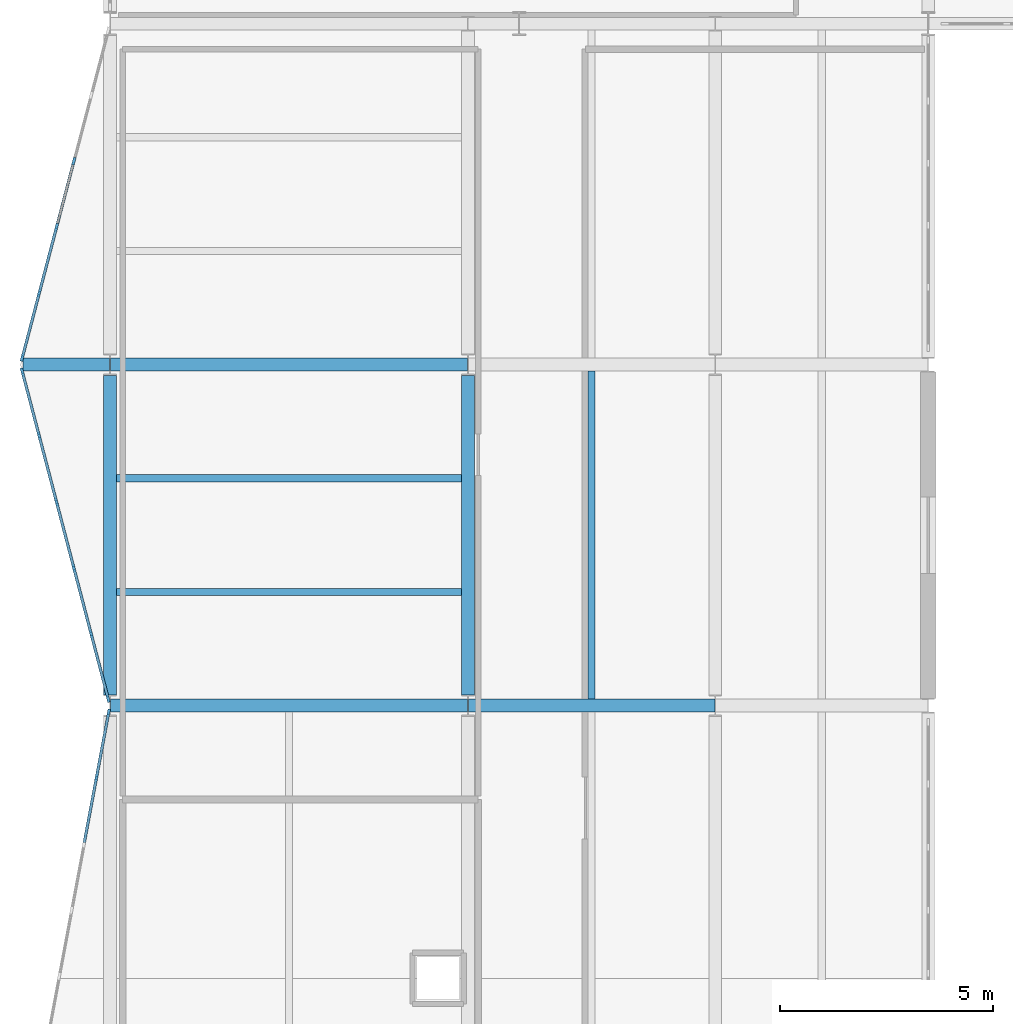
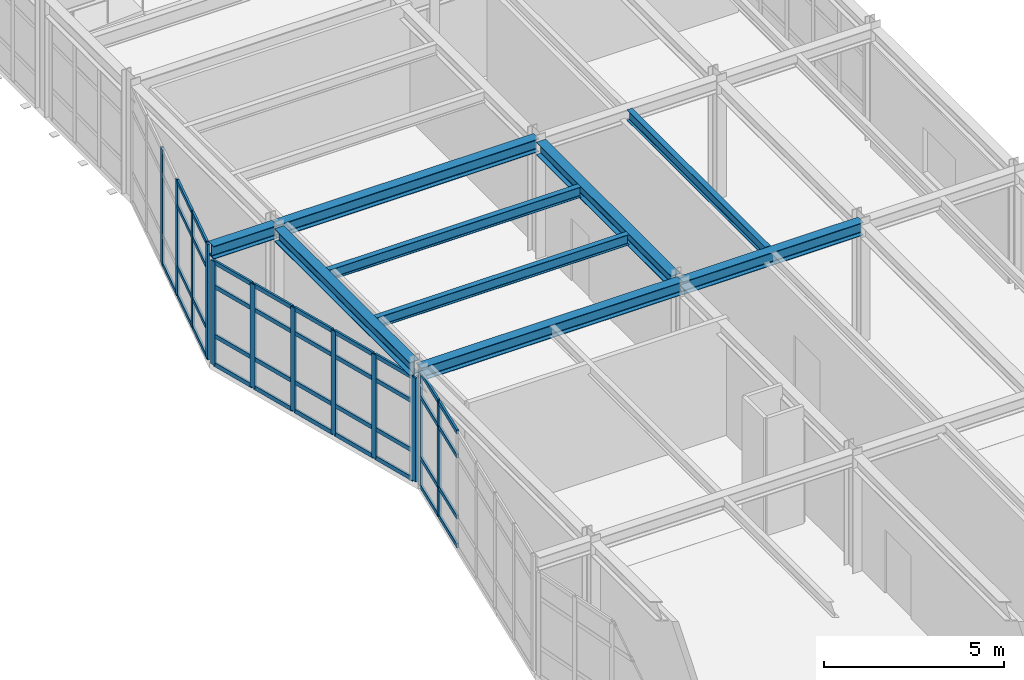
# One storey, part 24 of 76: 49 members, 9 beams, 3 elements without a shape of their own.
"""IFC4 building model written with IfcOpenShell, lengths in metres."""

from ifc_helpers import new_model, si_unit, direction, frame, origin, origin_2d, place, context, subcontext, project, spatial, rectangle, i_section, extrude, material, layer, layer_set, material_profile, profile_set, type_object, element, aggregate, save


model = new_model("IFC4")

# Units and contexts
model_context = context("Model", 3, precision=1e-05, world=origin(), true_north=direction((0.0, 1.0)))
body_context = subcontext(model_context, "Body", "Model", "MODEL_VIEW")
ifc_project = project(units=[si_unit("LENGTHUNIT", "METRE"), si_unit("AREAUNIT", "SQUARE_METRE"), si_unit("VOLUMEUNIT", "CUBIC_METRE"), si_unit("PLANEANGLEUNIT", "RADIAN"), si_unit("MASSUNIT", "GRAM", prefix="KILO")], contexts=[model_context])

# Site, building, storey
site_placement = place(None, origin())
site = spatial("IfcSite", under=ifc_project, at=site_placement, CompositionType="ELEMENT")
building_placement = place(site_placement, origin())
building = spatial("IfcBuilding", under=site, at=building_placement, Name="Nordkorset Police Headquarters", CompositionType="ELEMENT")
storey_placement = place(building_placement, frame((0.0, 0.0, 13.64990234375)))
storey = spatial("IfcBuildingStorey", under=building, at=storey_placement, Name="L03", CompositionType="ELEMENT", Elevation=13.64990234375)

# Beams
ifc_material_1 = material(Name="Steel S355J2", Category="steel")
ifc_material_profile_1 = material_profile(ifc_material_1, i_section(OverallWidth=0.169921875, OverallDepth=0.360107421875, WebThickness=0.008056640625, FlangeThickness=0.0126953125, FilletRadius=0.01806640625, at=origin_2d()), Name="IPE 360")
ifc_profile_set_1 = profile_set([ifc_material_profile_1], Name="Steel S355J2")
beam_type_1 = type_object("IfcBeamType", Name="Beam_IPE_360", PredefinedType="BEAM", material=ifc_profile_set_1)
for number, where, z_axis, x_axis, name in (
    (1, (0.14990234375, 69.86669921875, 3.800048828125), (1.0, 0.0, 0.0), (0.0, 1.0, 0.0), "Composite Floor Beam V3 L03 0-4-1"),
    (2, (0.14990234375, 72.533447265625, 3.800048828125), (1.0, 0.0, 0.0), (0.0, 1.0, 0.0), "Composite Floor Beam V3 L03 0-4-2"),
):
    element("IfcBeam", number, at=place(storey_placement, frame(where, z_axis=z_axis, x_axis=x_axis)), inside=storey, type_object=beam_type_1, Name=name, PredefinedType="BEAM", context=body_context, shape_type="SweptSolid", body=[
        extrude(i_section(OverallWidth=0.169921875, OverallDepth=0.360107421875, WebThickness=0.008056640625, FlangeThickness=0.0126953125, FilletRadius=0.01806640625, at=origin_2d()), origin(), (0.0, 0.0, 1.0), 8.10009765625),
    ])
beam_1_placement = place(storey_placement, frame((11.300048828125, 67.35009765625, 3.800048828125), z_axis=(0.0, 1.0, 0.0), x_axis=(-1.0, 0.0, 0.0)))
element("IfcBeam", 3, at=beam_1_placement, inside=storey, type_object=beam_type_1, Name="Composite Floor Beam V3 L03 1-4-1", PredefinedType="BEAM", context=body_context, shape_type="SweptSolid", body=[
    extrude(i_section(OverallWidth=0.169921875, OverallDepth=0.360107421875, WebThickness=0.008056640625, FlangeThickness=0.0126953125, FilletRadius=0.01806640625, at=origin_2d()), origin(), (0.0, 0.0, 1.0), 7.699951171875),
])

# Curtain wall, members
ifc_material_2 = material(Name="Aluminium alloy AW-6060", Category="aluminium")
ifc_layer_1 = layer(ifc_material_2, 0.179931640625, Name="Aluminium alloy AW-6060")
ifc_layer_set_1 = layer_set([ifc_layer_1], Name="Aluminium alloy AW-6060")
curtain_wall_type_1 = type_object("IfcCurtainWallType", Name="CW_Unit_949x392", PredefinedType="USERDEFINED", material=ifc_layer_set_1)
curtain_wall_1_placement = place(storey_placement, origin())
curtain_wall_1 = element("IfcCurtainWall", 4, at=curtain_wall_1_placement, inside=storey, type_object=curtain_wall_type_1, Name="Unitised Curtain Wall L03 V3W-3", ObjectType="UNITISED CURTAIN WALL", PredefinedType="USERDEFINED")
ifc_material_3 = material(Name="Aluminium alloy AW-6060", Category="aluminium")
ifc_material_profile_2 = material_profile(ifc_material_3, rectangle(XDim=0.06494140625, YDim=0.179931640625, at=origin_2d()), Name="ALU MULL 65x180")
ifc_profile_set_2 = profile_set([ifc_material_profile_2], Name="Aluminium alloy AW-6060")
member_type_1 = type_object("IfcMemberType", Name="CW_Mullion_65x180", PredefinedType="MULLION", material=ifc_profile_set_2)
member_1_placement = place(storey_placement, frame((-0.317138671875, 65.50830078125, 0.0), z_axis=(0.0, 0.0, 1.0), x_axis=(-0.982872186935, 0.184288535048, 0.0)))
member_1 = element("IfcMember", 5, at=member_1_placement, type_object=member_type_1, Name="CW-49 mullion 6", PredefinedType="MULLION", context=body_context, shape_type="SweptSolid", body=[
    extrude(rectangle(XDim=0.06494140625, YDim=0.179931640625, at=origin_2d()), origin(), (0.0, 0.0, 1.0), 3.920166015625),
])
member_2_placement = place(storey_placement, frame((-0.03173828125, 67.030517578125, 0.0), z_axis=(0.0, 0.0, 1.0), x_axis=(-0.982872186935, 0.184288535048, 0.0)))
member_2 = element("IfcMember", 6, at=member_2_placement, type_object=member_type_1, Name="CW-49 mullion 7", PredefinedType="MULLION", context=body_context, shape_type="SweptSolid", body=[
    extrude(rectangle(XDim=0.06494140625, YDim=0.179931640625, at=origin_2d()), origin(), (0.0, 0.0, 1.0), 3.920166015625),
])

ifc_material_4 = material(Name="Aluminium alloy AW-6060", Category="aluminium")
ifc_layer_2 = layer(ifc_material_4, 0.179931640625, Name="Aluminium alloy AW-6060")
ifc_layer_set_2 = layer_set([ifc_layer_2], Name="Aluminium alloy AW-6060")
curtain_wall_type_2 = type_object("IfcCurtainWallType", Name="CW_Unit_799x352", PredefinedType="USERDEFINED", material=ifc_layer_set_2)
curtain_wall_2_placement = place(storey_placement, origin())
curtain_wall_2 = element("IfcCurtainWall", 7, at=curtain_wall_2_placement, inside=storey, type_object=curtain_wall_type_2, Name="Unitised Curtain Wall L03 V3W-4", ObjectType="UNITISED CURTAIN WALL", PredefinedType="USERDEFINED")
member_3_placement = place(storey_placement, frame((-0.043701171875, 67.366943359375, 0.0), z_axis=(0.0, 0.0, 1.0), x_axis=(-0.967231265013, -0.25389698695, 0.0)))
member_3 = element("IfcMember", 8, at=member_3_placement, type_object=member_type_1, Name="CW-28 mullion 1", PredefinedType="MULLION", context=body_context, shape_type="SweptSolid", body=[
    extrude(rectangle(XDim=0.06494140625, YDim=0.179931640625, at=origin_2d()), origin(), (0.0, 0.0, 1.0), 3.52001953125),
])
member_4_placement = place(storey_placement, frame((-0.44140625, 68.88134765625, 0.0), z_axis=(0.0, 0.0, 1.0), x_axis=(-0.967231265013, -0.25389698695, 0.0)))
member_4 = element("IfcMember", 9, at=member_4_placement, type_object=member_type_1, Name="CW-28 mullion 2", PredefinedType="MULLION", context=body_context, shape_type="SweptSolid", body=[
    extrude(rectangle(XDim=0.06494140625, YDim=0.179931640625, at=origin_2d()), origin(), (0.0, 0.0, 1.0), 3.52001953125),
])
member_5_placement = place(storey_placement, frame((-0.84716796875, 70.427001953125, 0.0), z_axis=(0.0, 0.0, 1.0), x_axis=(-0.967231265013, -0.25389698695, 0.0)))
member_5 = element("IfcMember", 10, at=member_5_placement, type_object=member_type_1, Name="CW-28 mullion 3", PredefinedType="MULLION", context=body_context, shape_type="SweptSolid", body=[
    extrude(rectangle(XDim=0.06494140625, YDim=0.179931640625, at=origin_2d()), origin(), (0.0, 0.0, 1.0), 3.52001953125),
])
member_6_placement = place(storey_placement, frame((-1.2529296875, 71.972900390625, 0.0), z_axis=(0.0, 0.0, 1.0), x_axis=(-0.967231265013, -0.25389698695, 0.0)))
member_6 = element("IfcMember", 11, at=member_6_placement, type_object=member_type_1, Name="CW-28 mullion 4", PredefinedType="MULLION", context=body_context, shape_type="SweptSolid", body=[
    extrude(rectangle(XDim=0.06494140625, YDim=0.179931640625, at=origin_2d()), origin(), (0.0, 0.0, 1.0), 3.52001953125),
])
member_7_placement = place(storey_placement, frame((-1.65869140625, 73.518798828125, 0.0), z_axis=(0.0, 0.0, 1.0), x_axis=(-0.967231265013, -0.25389698695, 0.0)))
member_7 = element("IfcMember", 12, at=member_7_placement, type_object=member_type_1, Name="CW-28 mullion 5", PredefinedType="MULLION", context=body_context, shape_type="SweptSolid", body=[
    extrude(rectangle(XDim=0.06494140625, YDim=0.179931640625, at=origin_2d()), origin(), (0.0, 0.0, 1.0), 3.52001953125),
])
member_8_placement = place(storey_placement, frame((-2.05615234375, 75.033203125, 0.0), z_axis=(0.0, 0.0, 1.0), x_axis=(-0.967231265013, -0.25389698695, 0.0)))
member_8 = element("IfcMember", 13, at=member_8_placement, type_object=member_type_1, Name="CW-28 mullion 6", PredefinedType="MULLION", context=body_context, shape_type="SweptSolid", body=[
    extrude(rectangle(XDim=0.06494140625, YDim=0.179931640625, at=origin_2d()), origin(), (0.0, 0.0, 1.0), 3.52001953125),
])

ifc_material_5 = material(Name="Aluminium alloy AW-6060", Category="aluminium")
ifc_layer_3 = layer(ifc_material_5, 0.179931640625, Name="Aluminium alloy AW-6060")
ifc_layer_set_3 = layer_set([ifc_layer_3], Name="Aluminium alloy AW-6060")
curtain_wall_type_3 = type_object("IfcCurtainWallType", Name="CW_Unit_799x392", PredefinedType="USERDEFINED", material=ifc_layer_set_3)
curtain_wall_3_placement = place(storey_placement, origin())
curtain_wall_3 = element("IfcCurtainWall", 14, at=curtain_wall_3_placement, inside=storey, type_object=curtain_wall_type_3, Name="Unitised Curtain Wall L03 V3W-5", ObjectType="UNITISED CURTAIN WALL", PredefinedType="USERDEFINED")
member_9_placement = place(storey_placement, frame((-2.05615234375, 75.366943359375, 0.0), z_axis=(0.0, 0.0, 1.0), x_axis=(-0.967231265013, 0.25389698695, 0.0)))
member_9 = element("IfcMember", 15, at=member_9_placement, type_object=member_type_1, Name="CW-68 mullion 1", PredefinedType="MULLION", context=body_context, shape_type="SweptSolid", body=[
    extrude(rectangle(XDim=0.06494140625, YDim=0.179931640625, at=origin_2d()), origin(), (0.0, 0.0, 1.0), 3.920166015625),
])
member_10_placement = place(storey_placement, frame((-1.65869140625, 76.88134765625, 0.0), z_axis=(0.0, 0.0, 1.0), x_axis=(-0.967231265013, 0.25389698695, 0.0)))
member_10 = element("IfcMember", 16, at=member_10_placement, type_object=member_type_1, Name="CW-68 mullion 2", PredefinedType="MULLION", context=body_context, shape_type="SweptSolid", body=[
    extrude(rectangle(XDim=0.06494140625, YDim=0.179931640625, at=origin_2d()), origin(), (0.0, 0.0, 1.0), 3.920166015625),
])
member_11_placement = place(storey_placement, frame((-1.2529296875, 78.427001953125, 0.0), z_axis=(0.0, 0.0, 1.0), x_axis=(-0.967231265013, 0.25389698695, 0.0)))
member_11 = element("IfcMember", 17, at=member_11_placement, type_object=member_type_1, Name="CW-68 mullion 3", PredefinedType="MULLION", context=body_context, shape_type="SweptSolid", body=[
    extrude(rectangle(XDim=0.06494140625, YDim=0.179931640625, at=origin_2d()), origin(), (0.0, 0.0, 1.0), 3.920166015625),
])
member_12_placement = place(storey_placement, frame((-0.84716796875, 79.972900390625, 0.0), z_axis=(0.0, 0.0, 1.0), x_axis=(-0.967231265013, 0.25389698695, 0.0)))
member_12 = element("IfcMember", 18, at=member_12_placement, type_object=member_type_1, Name="CW-68 mullion 4", PredefinedType="MULLION", context=body_context, shape_type="SweptSolid", body=[
    extrude(rectangle(XDim=0.06494140625, YDim=0.179931640625, at=origin_2d()), origin(), (0.0, 0.0, 1.0), 3.920166015625),
])

# Member
ifc_material_6 = material(Name="Aluminium alloy AW-6060", Category="aluminium")
ifc_material_profile_3 = material_profile(ifc_material_6, rectangle(XDim=0.06494140625, YDim=0.139892578125, at=origin_2d()), Name="ALU TRAN 65x140")
ifc_profile_set_3 = profile_set([ifc_material_profile_3], Name="Aluminium alloy AW-6060")
member_type_2 = type_object("IfcMemberType", Name="CW_Transom_65x140", PredefinedType="USERDEFINED", material=ifc_profile_set_3)
member_13_placement = place(storey_placement, frame((-0.6025390625, 63.986083984375, 0.03271484375), z_axis=(0.184210757138, 0.982886767107, 0.0), x_axis=(-0.982886767107, 0.184210757138, 0.0)))
member_13 = element("IfcMember", 19, at=member_13_placement, type_object=member_type_2, Name="CW-49 transom 5.1", ObjectType="TRANSOM", PredefinedType="USERDEFINED", context=body_context, shape_type="SweptSolid", body=[
    extrude(rectangle(XDim=0.06494140625, YDim=0.139892578125, at=origin_2d()), origin(), (0.0, 0.0, 1.0), 1.51611328125),
])

member_14_placement = place(storey_placement, frame((-0.6025390625, 63.986083984375, 1.0), z_axis=(0.184210757138, 0.982886767107, 0.0), x_axis=(-0.982886767107, 0.184210757138, 0.0)))
member_14 = element("IfcMember", 20, at=member_14_placement, type_object=member_type_2, Name="CW-49 transom 5.2", ObjectType="TRANSOM", PredefinedType="USERDEFINED", context=body_context, shape_type="SweptSolid", body=[
    extrude(rectangle(XDim=0.06494140625, YDim=0.139892578125, at=origin_2d()), origin(), (0.0, 0.0, 1.0), 1.51611328125),
])

member_15_placement = place(storey_placement, frame((-0.6025390625, 63.986083984375, 3.070068359375), z_axis=(0.184210757138, 0.982886767107, 0.0), x_axis=(-0.982886767107, 0.184210757138, 0.0)))
member_15 = element("IfcMember", 21, at=member_15_placement, type_object=member_type_2, Name="CW-49 transom 5.3", ObjectType="TRANSOM", PredefinedType="USERDEFINED", context=body_context, shape_type="SweptSolid", body=[
    extrude(rectangle(XDim=0.06494140625, YDim=0.139892578125, at=origin_2d()), origin(), (0.0, 0.0, 1.0), 1.51611328125),
])

member_16_placement = place(storey_placement, frame((-0.6025390625, 63.986083984375, 3.8876953125), z_axis=(0.184210757138, 0.982886767107, 0.0), x_axis=(-0.982886767107, 0.184210757138, 0.0)))
member_16 = element("IfcMember", 22, at=member_16_placement, type_object=member_type_2, Name="CW-49 transom 5.4", ObjectType="TRANSOM", PredefinedType="USERDEFINED", context=body_context, shape_type="SweptSolid", body=[
    extrude(rectangle(XDim=0.06494140625, YDim=0.139892578125, at=origin_2d()), origin(), (0.0, 0.0, 1.0), 1.51611328125),
])

member_17_placement = place(storey_placement, frame((-0.311279296875, 65.540283203125, 0.03271484375), z_axis=(0.184298470268, 0.982870324029, 0.0), x_axis=(-0.982870324029, 0.184298470268, 0.0)))
member_17 = element("IfcMember", 23, at=member_17_placement, type_object=member_type_2, Name="CW-49 transom 6.1", ObjectType="TRANSOM", PredefinedType="USERDEFINED", context=body_context, shape_type="SweptSolid", body=[
    extrude(rectangle(XDim=0.06494140625, YDim=0.139892578125, at=origin_2d()), origin(), (0.0, 0.0, 1.0), 1.483642578125),
])

member_18_placement = place(storey_placement, frame((-0.311279296875, 65.540283203125, 1.0), z_axis=(0.184298470268, 0.982870324029, 0.0), x_axis=(-0.982870324029, 0.184298470268, 0.0)))
member_18 = element("IfcMember", 24, at=member_18_placement, type_object=member_type_2, Name="CW-49 transom 6.2", ObjectType="TRANSOM", PredefinedType="USERDEFINED", context=body_context, shape_type="SweptSolid", body=[
    extrude(rectangle(XDim=0.06494140625, YDim=0.139892578125, at=origin_2d()), origin(), (0.0, 0.0, 1.0), 1.483642578125),
])

member_19_placement = place(storey_placement, frame((-0.311279296875, 65.540283203125, 3.070068359375), z_axis=(0.184298470268, 0.982870324029, 0.0), x_axis=(-0.982870324029, 0.184298470268, 0.0)))
member_19 = element("IfcMember", 25, at=member_19_placement, type_object=member_type_2, Name="CW-49 transom 6.3", ObjectType="TRANSOM", PredefinedType="USERDEFINED", context=body_context, shape_type="SweptSolid", body=[
    extrude(rectangle(XDim=0.06494140625, YDim=0.139892578125, at=origin_2d()), origin(), (0.0, 0.0, 1.0), 1.483642578125),
])

member_20_placement = place(storey_placement, frame((-0.311279296875, 65.540283203125, 3.8876953125), z_axis=(0.184298470268, 0.982870324029, 0.0), x_axis=(-0.982870324029, 0.184298470268, 0.0)))
member_20 = element("IfcMember", 26, at=member_20_placement, type_object=member_type_2, Name="CW-49 transom 6.4", ObjectType="TRANSOM", PredefinedType="USERDEFINED", context=body_context, shape_type="SweptSolid", body=[
    extrude(rectangle(XDim=0.06494140625, YDim=0.139892578125, at=origin_2d()), origin(), (0.0, 0.0, 1.0), 1.483642578125),
])

aggregate(curtain_wall_1, [member_1, member_2, member_13, member_14, member_15, member_16, member_17, member_18, member_19, member_20])

member_21_placement = place(storey_placement, frame((-0.052001953125, 67.398193359375, 0.03271484375), z_axis=(-0.253924760119, 0.967223974164, 0.0), x_axis=(-0.967223974164, -0.253924760119, 0.0)))
member_21 = element("IfcMember", 27, at=member_21_placement, type_object=member_type_2, Name="CW-28 transom 1.1", ObjectType="TRANSOM", PredefinedType="USERDEFINED", context=body_context, shape_type="SweptSolid", body=[
    extrude(rectangle(XDim=0.06494140625, YDim=0.139892578125, at=origin_2d()), origin(), (0.0, 0.0, 1.0), 1.500732421875),
])

member_22_placement = place(storey_placement, frame((-0.052001953125, 67.398193359375, 1.0), z_axis=(-0.253924760119, 0.967223974164, 0.0), x_axis=(-0.967223974164, -0.253924760119, 0.0)))
member_22 = element("IfcMember", 28, at=member_22_placement, type_object=member_type_2, Name="CW-28 transom 1.2", ObjectType="TRANSOM", PredefinedType="USERDEFINED", context=body_context, shape_type="SweptSolid", body=[
    extrude(rectangle(XDim=0.06494140625, YDim=0.139892578125, at=origin_2d()), origin(), (0.0, 0.0, 1.0), 1.500732421875),
])

member_23_placement = place(storey_placement, frame((-0.052001953125, 67.398193359375, 2.670166015625), z_axis=(-0.253924760119, 0.967223974164, 0.0), x_axis=(-0.967223974164, -0.253924760119, 0.0)))
member_23 = element("IfcMember", 29, at=member_23_placement, type_object=member_type_2, Name="CW-28 transom 1.3", ObjectType="TRANSOM", PredefinedType="USERDEFINED", context=body_context, shape_type="SweptSolid", body=[
    extrude(rectangle(XDim=0.06494140625, YDim=0.139892578125, at=origin_2d()), origin(), (0.0, 0.0, 1.0), 1.500732421875),
])

member_24_placement = place(storey_placement, frame((-0.052001953125, 67.398193359375, 3.487548828125), z_axis=(-0.253924760119, 0.967223974164, 0.0), x_axis=(-0.967223974164, -0.253924760119, 0.0)))
member_24 = element("IfcMember", 30, at=member_24_placement, type_object=member_type_2, Name="CW-28 transom 1.4", ObjectType="TRANSOM", PredefinedType="USERDEFINED", context=body_context, shape_type="SweptSolid", body=[
    extrude(rectangle(XDim=0.06494140625, YDim=0.139892578125, at=origin_2d()), origin(), (0.0, 0.0, 1.0), 1.500732421875),
])

member_25_placement = place(storey_placement, frame((-0.449462890625, 68.91259765625, 0.03271484375), z_axis=(-0.253944674811, 0.967218745753, 0.0), x_axis=(-0.967218745753, -0.253944674811, 0.0)))
member_25 = element("IfcMember", 31, at=member_25_placement, type_object=member_type_2, Name="CW-28 transom 2.1", ObjectType="TRANSOM", PredefinedType="USERDEFINED", context=body_context, shape_type="SweptSolid", body=[
    extrude(rectangle(XDim=0.06494140625, YDim=0.139892578125, at=origin_2d()), origin(), (0.0, 0.0, 1.0), 1.533447265625),
])

member_26_placement = place(storey_placement, frame((-0.449462890625, 68.91259765625, 1.0), z_axis=(-0.253944674811, 0.967218745753, 0.0), x_axis=(-0.967218745753, -0.253944674811, 0.0)))
member_26 = element("IfcMember", 32, at=member_26_placement, type_object=member_type_2, Name="CW-28 transom 2.2", ObjectType="TRANSOM", PredefinedType="USERDEFINED", context=body_context, shape_type="SweptSolid", body=[
    extrude(rectangle(XDim=0.06494140625, YDim=0.139892578125, at=origin_2d()), origin(), (0.0, 0.0, 1.0), 1.533447265625),
])

member_27_placement = place(storey_placement, frame((-0.449462890625, 68.91259765625, 2.670166015625), z_axis=(-0.253944674811, 0.967218745753, 0.0), x_axis=(-0.967218745753, -0.253944674811, 0.0)))
member_27 = element("IfcMember", 33, at=member_27_placement, type_object=member_type_2, Name="CW-28 transom 2.3", ObjectType="TRANSOM", PredefinedType="USERDEFINED", context=body_context, shape_type="SweptSolid", body=[
    extrude(rectangle(XDim=0.06494140625, YDim=0.139892578125, at=origin_2d()), origin(), (0.0, 0.0, 1.0), 1.533447265625),
])

member_28_placement = place(storey_placement, frame((-0.449462890625, 68.91259765625, 3.487548828125), z_axis=(-0.253944674811, 0.967218745753, 0.0), x_axis=(-0.967218745753, -0.253944674811, 0.0)))
member_28 = element("IfcMember", 34, at=member_28_placement, type_object=member_type_2, Name="CW-28 transom 2.4", ObjectType="TRANSOM", PredefinedType="USERDEFINED", context=body_context, shape_type="SweptSolid", body=[
    extrude(rectangle(XDim=0.06494140625, YDim=0.139892578125, at=origin_2d()), origin(), (0.0, 0.0, 1.0), 1.533447265625),
])

member_29_placement = place(storey_placement, frame((-0.85546875, 70.45849609375, 0.03271484375), z_axis=(-0.253834812056, 0.967247583708, 0.0), x_axis=(-0.967247583708, -0.253834812056, 0.0)))
member_29 = element("IfcMember", 35, at=member_29_placement, type_object=member_type_2, Name="CW-28 transom 3.1", ObjectType="TRANSOM", PredefinedType="USERDEFINED", context=body_context, shape_type="SweptSolid", body=[
    extrude(rectangle(XDim=0.06494140625, YDim=0.139892578125, at=origin_2d()), origin(), (0.0, 0.0, 1.0), 1.533203125),
])

member_30_placement = place(storey_placement, frame((-0.85546875, 70.45849609375, 1.0), z_axis=(-0.253834812056, 0.967247583708, 0.0), x_axis=(-0.967247583708, -0.253834812056, 0.0)))
member_30 = element("IfcMember", 36, at=member_30_placement, type_object=member_type_2, Name="CW-28 transom 3.2", ObjectType="TRANSOM", PredefinedType="USERDEFINED", context=body_context, shape_type="SweptSolid", body=[
    extrude(rectangle(XDim=0.06494140625, YDim=0.139892578125, at=origin_2d()), origin(), (0.0, 0.0, 1.0), 1.533203125),
])

member_31_placement = place(storey_placement, frame((-0.85546875, 70.45849609375, 2.670166015625), z_axis=(-0.253834812056, 0.967247583708, 0.0), x_axis=(-0.967247583708, -0.253834812056, 0.0)))
member_31 = element("IfcMember", 37, at=member_31_placement, type_object=member_type_2, Name="CW-28 transom 3.3", ObjectType="TRANSOM", PredefinedType="USERDEFINED", context=body_context, shape_type="SweptSolid", body=[
    extrude(rectangle(XDim=0.06494140625, YDim=0.139892578125, at=origin_2d()), origin(), (0.0, 0.0, 1.0), 1.533203125),
])

member_32_placement = place(storey_placement, frame((-0.85546875, 70.45849609375, 3.487548828125), z_axis=(-0.253834812056, 0.967247583708, 0.0), x_axis=(-0.967247583708, -0.253834812056, 0.0)))
member_32 = element("IfcMember", 38, at=member_32_placement, type_object=member_type_2, Name="CW-28 transom 3.4", ObjectType="TRANSOM", PredefinedType="USERDEFINED", context=body_context, shape_type="SweptSolid", body=[
    extrude(rectangle(XDim=0.06494140625, YDim=0.139892578125, at=origin_2d()), origin(), (0.0, 0.0, 1.0), 1.533203125),
])

member_33_placement = place(storey_placement, frame((-1.26123046875, 72.00439453125, 0.03271484375), z_axis=(-0.253834812056, 0.967247583708, 0.0), x_axis=(-0.967247583708, -0.253834812056, 0.0)))
member_33 = element("IfcMember", 39, at=member_33_placement, type_object=member_type_2, Name="CW-28 transom 4.1", ObjectType="TRANSOM", PredefinedType="USERDEFINED", context=body_context, shape_type="SweptSolid", body=[
    extrude(rectangle(XDim=0.06494140625, YDim=0.139892578125, at=origin_2d()), origin(), (0.0, 0.0, 1.0), 1.533203125),
])

member_34_placement = place(storey_placement, frame((-1.26123046875, 72.00439453125, 1.0), z_axis=(-0.253834812056, 0.967247583708, 0.0), x_axis=(-0.967247583708, -0.253834812056, 0.0)))
member_34 = element("IfcMember", 40, at=member_34_placement, type_object=member_type_2, Name="CW-28 transom 4.2", ObjectType="TRANSOM", PredefinedType="USERDEFINED", context=body_context, shape_type="SweptSolid", body=[
    extrude(rectangle(XDim=0.06494140625, YDim=0.139892578125, at=origin_2d()), origin(), (0.0, 0.0, 1.0), 1.533203125),
])

member_35_placement = place(storey_placement, frame((-1.26123046875, 72.00439453125, 2.670166015625), z_axis=(-0.253834812056, 0.967247583708, 0.0), x_axis=(-0.967247583708, -0.253834812056, 0.0)))
member_35 = element("IfcMember", 41, at=member_35_placement, type_object=member_type_2, Name="CW-28 transom 4.3", ObjectType="TRANSOM", PredefinedType="USERDEFINED", context=body_context, shape_type="SweptSolid", body=[
    extrude(rectangle(XDim=0.06494140625, YDim=0.139892578125, at=origin_2d()), origin(), (0.0, 0.0, 1.0), 1.533203125),
])

member_36_placement = place(storey_placement, frame((-1.26123046875, 72.00439453125, 3.487548828125), z_axis=(-0.253834812056, 0.967247583708, 0.0), x_axis=(-0.967247583708, -0.253834812056, 0.0)))
member_36 = element("IfcMember", 42, at=member_36_placement, type_object=member_type_2, Name="CW-28 transom 4.4", ObjectType="TRANSOM", PredefinedType="USERDEFINED", context=body_context, shape_type="SweptSolid", body=[
    extrude(rectangle(XDim=0.06494140625, YDim=0.139892578125, at=origin_2d()), origin(), (0.0, 0.0, 1.0), 1.533203125),
])

member_37_placement = place(storey_placement, frame((-1.6669921875, 73.55029296875, 0.03271484375), z_axis=(-0.253812508184, 0.967253436639, 0.0), x_axis=(-0.967253436639, -0.253812508184, 0.0)))
member_37 = element("IfcMember", 43, at=member_37_placement, type_object=member_type_2, Name="CW-28 transom 5.1", ObjectType="TRANSOM", PredefinedType="USERDEFINED", context=body_context, shape_type="SweptSolid", body=[
    extrude(rectangle(XDim=0.06494140625, YDim=0.139892578125, at=origin_2d()), origin(), (0.0, 0.0, 1.0), 1.50048828125),
])

member_38_placement = place(storey_placement, frame((-1.6669921875, 73.55029296875, 1.0), z_axis=(-0.253812508184, 0.967253436639, 0.0), x_axis=(-0.967253436639, -0.253812508184, 0.0)))
member_38 = element("IfcMember", 44, at=member_38_placement, type_object=member_type_2, Name="CW-28 transom 5.2", ObjectType="TRANSOM", PredefinedType="USERDEFINED", context=body_context, shape_type="SweptSolid", body=[
    extrude(rectangle(XDim=0.06494140625, YDim=0.139892578125, at=origin_2d()), origin(), (0.0, 0.0, 1.0), 1.50048828125),
])

member_39_placement = place(storey_placement, frame((-1.6669921875, 73.55029296875, 2.670166015625), z_axis=(-0.253812508184, 0.967253436639, 0.0), x_axis=(-0.967253436639, -0.253812508184, 0.0)))
member_39 = element("IfcMember", 45, at=member_39_placement, type_object=member_type_2, Name="CW-28 transom 5.3", ObjectType="TRANSOM", PredefinedType="USERDEFINED", context=body_context, shape_type="SweptSolid", body=[
    extrude(rectangle(XDim=0.06494140625, YDim=0.139892578125, at=origin_2d()), origin(), (0.0, 0.0, 1.0), 1.50048828125),
])

member_40_placement = place(storey_placement, frame((-1.6669921875, 73.55029296875, 3.487548828125), z_axis=(-0.253812508184, 0.967253436639, 0.0), x_axis=(-0.967253436639, -0.253812508184, 0.0)))
member_40 = element("IfcMember", 46, at=member_40_placement, type_object=member_type_2, Name="CW-28 transom 5.4", ObjectType="TRANSOM", PredefinedType="USERDEFINED", context=body_context, shape_type="SweptSolid", body=[
    extrude(rectangle(XDim=0.06494140625, YDim=0.139892578125, at=origin_2d()), origin(), (0.0, 0.0, 1.0), 1.50048828125),
])

aggregate(curtain_wall_2, [member_3, member_4, member_5, member_6, member_7, member_8, member_21, member_22, member_23, member_24, member_25, member_26, member_27, member_28, member_29, member_30, member_31, member_32, member_33, member_34, member_35, member_36, member_37, member_38, member_39, member_40])

member_41_placement = place(storey_placement, frame((-2.0478515625, 75.398193359375, 0.03271484375), z_axis=(0.253772571157, 0.967263915448, 0.0), x_axis=(-0.967263915448, 0.253772571157, 0.0)))
member_41 = element("IfcMember", 47, at=member_41_placement, type_object=member_type_2, Name="CW-68 transom 1.1", ObjectType="TRANSOM", PredefinedType="USERDEFINED", context=body_context, shape_type="SweptSolid", body=[
    extrude(rectangle(XDim=0.06494140625, YDim=0.139892578125, at=origin_2d()), origin(), (0.0, 0.0, 1.0), 1.500732421875),
])

member_42_placement = place(storey_placement, frame((-2.0478515625, 75.398193359375, 1.0), z_axis=(0.253772571157, 0.967263915448, 0.0), x_axis=(-0.967263915448, 0.253772571157, 0.0)))
member_42 = element("IfcMember", 48, at=member_42_placement, type_object=member_type_2, Name="CW-68 transom 1.2", ObjectType="TRANSOM", PredefinedType="USERDEFINED", context=body_context, shape_type="SweptSolid", body=[
    extrude(rectangle(XDim=0.06494140625, YDim=0.139892578125, at=origin_2d()), origin(), (0.0, 0.0, 1.0), 1.500732421875),
])

member_43_placement = place(storey_placement, frame((-2.0478515625, 75.398193359375, 3.070068359375), z_axis=(0.253772571157, 0.967263915448, 0.0), x_axis=(-0.967263915448, 0.253772571157, 0.0)))
member_43 = element("IfcMember", 49, at=member_43_placement, type_object=member_type_2, Name="CW-68 transom 1.3", ObjectType="TRANSOM", PredefinedType="USERDEFINED", context=body_context, shape_type="SweptSolid", body=[
    extrude(rectangle(XDim=0.06494140625, YDim=0.139892578125, at=origin_2d()), origin(), (0.0, 0.0, 1.0), 1.500732421875),
])

member_44_placement = place(storey_placement, frame((-2.0478515625, 75.398193359375, 3.8876953125), z_axis=(0.253772571157, 0.967263915448, 0.0), x_axis=(-0.967263915448, 0.253772571157, 0.0)))
member_44 = element("IfcMember", 50, at=member_44_placement, type_object=member_type_2, Name="CW-68 transom 1.4", ObjectType="TRANSOM", PredefinedType="USERDEFINED", context=body_context, shape_type="SweptSolid", body=[
    extrude(rectangle(XDim=0.06494140625, YDim=0.139892578125, at=origin_2d()), origin(), (0.0, 0.0, 1.0), 1.500732421875),
])

member_45_placement = place(storey_placement, frame((-1.650390625, 76.91259765625, 0.03271484375), z_axis=(0.253795720126, 0.96725784176, 0.0), x_axis=(-0.96725784176, 0.253795720126, 0.0)))
member_45 = element("IfcMember", 51, at=member_45_placement, type_object=member_type_2, Name="CW-68 transom 2.1", ObjectType="TRANSOM", PredefinedType="USERDEFINED", context=body_context, shape_type="SweptSolid", body=[
    extrude(rectangle(XDim=0.06494140625, YDim=0.139892578125, at=origin_2d()), origin(), (0.0, 0.0, 1.0), 1.533447265625),
])

member_46_placement = place(storey_placement, frame((-1.650390625, 76.91259765625, 1.0), z_axis=(0.253795720126, 0.96725784176, 0.0), x_axis=(-0.96725784176, 0.253795720126, 0.0)))
member_46 = element("IfcMember", 52, at=member_46_placement, type_object=member_type_2, Name="CW-68 transom 2.2", ObjectType="TRANSOM", PredefinedType="USERDEFINED", context=body_context, shape_type="SweptSolid", body=[
    extrude(rectangle(XDim=0.06494140625, YDim=0.139892578125, at=origin_2d()), origin(), (0.0, 0.0, 1.0), 1.533447265625),
])

member_47_placement = place(storey_placement, frame((-1.650390625, 76.91259765625, 3.070068359375), z_axis=(0.253795720126, 0.96725784176, 0.0), x_axis=(-0.96725784176, 0.253795720126, 0.0)))
member_47 = element("IfcMember", 53, at=member_47_placement, type_object=member_type_2, Name="CW-68 transom 2.3", ObjectType="TRANSOM", PredefinedType="USERDEFINED", context=body_context, shape_type="SweptSolid", body=[
    extrude(rectangle(XDim=0.06494140625, YDim=0.139892578125, at=origin_2d()), origin(), (0.0, 0.0, 1.0), 1.533447265625),
])

member_48_placement = place(storey_placement, frame((-1.650390625, 76.91259765625, 3.8876953125), z_axis=(0.253795720126, 0.96725784176, 0.0), x_axis=(-0.96725784176, 0.253795720126, 0.0)))
member_48 = element("IfcMember", 54, at=member_48_placement, type_object=member_type_2, Name="CW-68 transom 2.4", ObjectType="TRANSOM", PredefinedType="USERDEFINED", context=body_context, shape_type="SweptSolid", body=[
    extrude(rectangle(XDim=0.06494140625, YDim=0.139892578125, at=origin_2d()), origin(), (0.0, 0.0, 1.0), 1.533447265625),
])

member_49_placement = place(storey_placement, frame((-1.24462890625, 78.45849609375, 0.03271484375), z_axis=(0.253834812056, 0.967247583708, 0.0), x_axis=(-0.967247583708, 0.253834812056, 0.0)))
member_49 = element("IfcMember", 55, at=member_49_placement, type_object=member_type_2, Name="CW-68 transom 3.1", ObjectType="TRANSOM", PredefinedType="USERDEFINED", context=body_context, shape_type="SweptSolid", body=[
    extrude(rectangle(XDim=0.06494140625, YDim=0.139892578125, at=origin_2d()), origin(), (0.0, 0.0, 1.0), 1.533203125),
])

aggregate(curtain_wall_3, [member_9, member_10, member_11, member_12, member_41, member_42, member_43, member_44, member_45, member_46, member_47, member_48, member_49])

# Beams
ifc_material_7 = material(Name="Steel S355J2", Category="steel")
ifc_material_profile_4 = material_profile(ifc_material_7, i_section(OverallWidth=0.300048828125, OverallDepth=0.43994140625, WebThickness=0.011474609375, FlangeThickness=0.02099609375, FilletRadius=0.027099609375, at=origin_2d()), Name="HEA 450")
ifc_profile_set_4 = profile_set([ifc_material_profile_4], Name="Steel S355J2")
beam_type_2 = type_object("IfcBeamType", Name="Girder_HEA_450", PredefinedType="USERDEFINED", material=ifc_profile_set_4)
beam_2_placement = place(storey_placement, frame((0.00732421875, 67.199951171875, 3.760009765625), z_axis=(1.0, 0.0, 0.0), x_axis=(0.0, 1.0, 0.0)))
element("IfcBeam", 56, at=beam_2_placement, inside=storey, type_object=beam_type_2, Name="Girder V3 L03 GX-4-0", ObjectType="GIRDER", PredefinedType="USERDEFINED", context=body_context, shape_type="SweptSolid", body=[
    extrude(i_section(OverallWidth=0.300048828125, OverallDepth=0.43994140625, WebThickness=0.011474609375, FlangeThickness=0.02099609375, FilletRadius=0.027099609375, at=origin_2d()), origin(), (0.0, 0.0, 1.0), 8.38525390625),
])
beam_3_placement = place(storey_placement, frame((8.4072265625, 67.199951171875, 3.7451171875), z_axis=(1.0, 0.0, 0.0), x_axis=(0.0, 1.0, 0.0)))
element("IfcBeam", 57, at=beam_3_placement, inside=storey, type_object=beam_type_2, Name="Girder V3 L03 GX-4-1", ObjectType="GIRDER", PredefinedType="USERDEFINED", context=body_context, shape_type="SweptSolid", body=[
    extrude(i_section(OverallWidth=0.300048828125, OverallDepth=0.43994140625, WebThickness=0.011474609375, FlangeThickness=0.02099609375, FilletRadius=0.027099609375, at=origin_2d()), origin(), (0.0, 0.0, 1.0), 5.785400390625),
])
beam_4_placement = place(storey_placement, frame((0.00732421875, 75.199951171875, 3.760009765625), z_axis=(1.0, 0.0, 0.0), x_axis=(0.0, 1.0, 0.0)))
element("IfcBeam", 58, at=beam_4_placement, inside=storey, type_object=beam_type_2, Name="Girder V3 L03 GX-5-0", ObjectType="GIRDER", PredefinedType="USERDEFINED", context=body_context, shape_type="SweptSolid", body=[
    extrude(i_section(OverallWidth=0.300048828125, OverallDepth=0.43994140625, WebThickness=0.011474609375, FlangeThickness=0.02099609375, FilletRadius=0.027099609375, at=origin_2d()), origin(), (0.0, 0.0, 1.0), 8.38525390625),
])
for number, where, z_axis, x_axis, name in (
    (59, (0.0, 67.449951171875, 3.760009765625), (0.0, 1.0, 0.0), (-1.0, 0.0, 0.0), "Girder V3 L03 GY-0-4"),
    (60, (8.39990234375, 67.449951171875, 3.760009765625), (0.0, 1.0, 0.0), (-1.0, 0.0, 0.0), "Girder V3 L03 GY-1-4"),
):
    element("IfcBeam", number, at=place(storey_placement, frame(where, z_axis=z_axis, x_axis=x_axis)), inside=storey, type_object=beam_type_2, Name=name, ObjectType="GIRDER", PredefinedType="USERDEFINED", context=body_context, shape_type="SweptSolid", body=[
        extrude(i_section(OverallWidth=0.300048828125, OverallDepth=0.43994140625, WebThickness=0.011474609375, FlangeThickness=0.02099609375, FilletRadius=0.027099609375, at=origin_2d()), origin(), (0.0, 0.0, 1.0), 7.5),
    ])
beam_5_placement = place(storey_placement, frame((-0.00732421875, 75.199951171875, 3.760009765625), z_axis=(-1.0, 0.0, 0.0), x_axis=(0.0, -1.0, 0.0)))
element("IfcBeam", 61, at=beam_5_placement, inside=storey, type_object=beam_type_2, Name="Sawtooth Facade Outrigger V3 L03 75", ObjectType="GIRDER", PredefinedType="USERDEFINED", context=body_context, shape_type="SweptSolid", body=[
    extrude(i_section(OverallWidth=0.300048828125, OverallDepth=0.43994140625, WebThickness=0.011474609375, FlangeThickness=0.02099609375, FilletRadius=0.027099609375, at=origin_2d()), origin(), (0.0, 0.0, 1.0), 2.03271484375),
])

save(model, "model.ifc")
